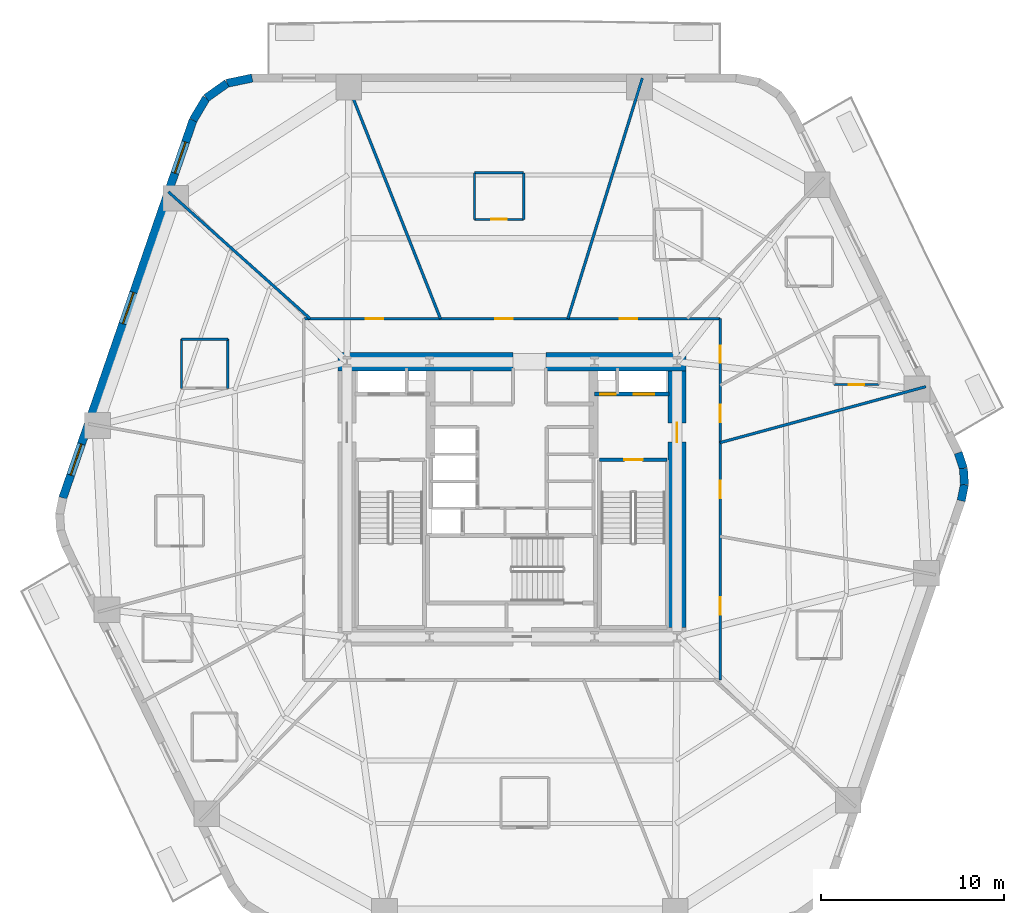
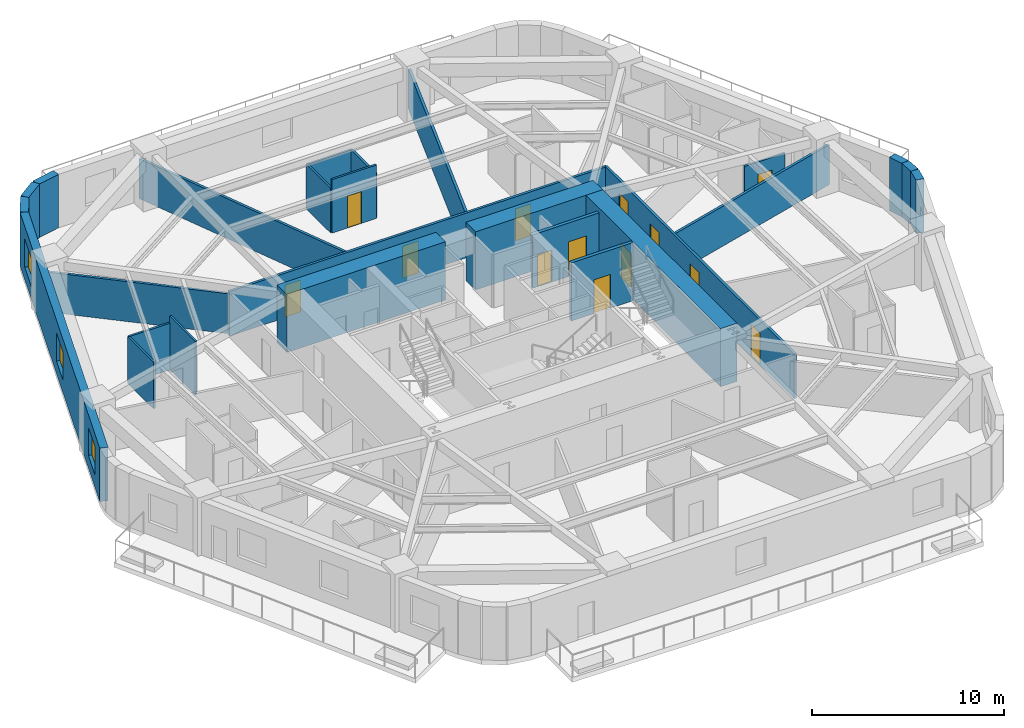
# One storey, part 5 of 9: 26 walls, 13 doors, 3 windows, 16 openings.
"""IFC4 building model written with IfcOpenShell, lengths in metres."""

from ifc_helpers import new_model, si_unit, direction, frame, frame_2d, origin, place, context, subcontext, project, spatial, rectangle, extrude, material, layer, layer_set, type_object, element, fill, save


model = new_model("IFC4")

# Units and contexts
model_context = context("Model", 3, precision=1e-05, world=origin(), true_north=direction((0.0, 1.0)))
body_context = subcontext(model_context, "Body", "Model", "MODEL_VIEW")
ifc_project = project(units=[si_unit("LENGTHUNIT", "METRE"), si_unit("AREAUNIT", "SQUARE_METRE"), si_unit("VOLUMEUNIT", "CUBIC_METRE"), si_unit("PLANEANGLEUNIT", "RADIAN"), si_unit("MASSUNIT", "GRAM", prefix="KILO")], contexts=[model_context])

# Site, building, storey
site_placement = place(None, origin())
site = spatial("IfcSite", under=ifc_project, at=site_placement, CompositionType="ELEMENT")
building_placement = place(site_placement, origin())
building = spatial("IfcBuilding", under=site, at=building_placement, Name="Kilnhurst Terrace Hotel", CompositionType="ELEMENT")
storey_placement = place(building_placement, frame((0.0, 0.0, 60.10009765625)))
storey = spatial("IfcBuildingStorey", under=building, at=storey_placement, Name="L13", CompositionType="ELEMENT", Elevation=60.10009765625)

# Walls
ifc_material_1 = material(Name="Precast concrete C40/50", Category="concrete")
ifc_layer_1 = layer(ifc_material_1, 0.449951171875, Name="Precast concrete C40/50")
ifc_layer_set_1 = layer_set([ifc_layer_1], Name="Precast concrete C40/50")
wall_type_1 = type_object("IfcWallType", Name="WL-BRK-450", PredefinedType="SOLIDWALL", material=ifc_layer_set_1)
wall_1_placement = place(storey_placement, frame((24.49560546875, -0.07666015625, 0.0), z_axis=(0.0, 0.0, 1.0), x_axis=(0.199570594521, 0.979883451132, 0.0)))
element("IfcWall", 1, at=wall_1_placement, inside=storey, type_object=wall_type_1, Name="L13 Rounded Corner Brick Wall C3.1", PredefinedType="SOLIDWALL", context=body_context, shape_type="SweptSolid", body=[
    extrude(rectangle(XDim=0.896728515625, YDim=0.449951171875, at=frame_2d((0.4482421875, 0.0))), origin(), (0.0, 0.0, 1.0), 3.39990234375),
])
wall_2_placement = place(storey_placement, frame((24.674560546875, 0.802001953125, 0.0), z_axis=(0.0, 0.0, 1.0), x_axis=(-0.061188874166, 0.998126205286, 0.0)))
element("IfcWall", 2, at=wall_2_placement, inside=storey, type_object=wall_type_1, Name="L13 Rounded Corner Brick Wall C3.2", PredefinedType="SOLIDWALL", context=body_context, shape_type="SweptSolid", body=[
    extrude(rectangle(XDim=0.8818359375, YDim=0.449951171875, at=frame_2d((0.44091796875, 0.0))), origin(), (0.0, 0.0, 1.0), 3.39990234375),
])
wall_3_placement = place(storey_placement, frame((24.62060546875, 1.68212890625, 0.0), z_axis=(0.0, 0.0, 1.0), x_axis=(-0.317697451681, 0.948192137278, 0.0)))
element("IfcWall", 3, at=wall_3_placement, inside=storey, type_object=wall_type_1, Name="L13 Rounded Corner Brick Wall C3.3", PredefinedType="SOLIDWALL", context=body_context, shape_type="SweptSolid", body=[
    extrude(rectangle(XDim=0.896728515625, YDim=0.449951171875, at=frame_2d((0.4482421875, 0.0))), origin(), (0.0, 0.0, 1.0), 3.39990234375),
])
wall_4_placement = place(storey_placement, frame((-14.168212890625, 22.97509765625, 0.0), z_axis=(0.0, 0.0, 1.0), x_axis=(-0.978770371074, -0.204959900243, 0.0)))
element("IfcWall", 4, at=wall_4_placement, inside=storey, type_object=wall_type_1, Name="L13 Rounded Corner Brick Wall C5.1", PredefinedType="SOLIDWALL", context=body_context, shape_type="SweptSolid", body=[
    extrude(rectangle(XDim=1.405517578125, YDim=0.449951171875, at=frame_2d((0.70263671875, 0.0))), origin(), (0.0, 0.0, 1.0), 3.39990234375),
])
wall_5_placement = place(storey_placement, frame((-15.5439453125, 22.68701171875, 0.0), z_axis=(0.0, 0.0, 1.0), x_axis=(-0.814210854316, -0.580569276412, 0.0)))
element("IfcWall", 5, at=wall_5_placement, inside=storey, type_object=wall_type_1, Name="L13 Rounded Corner Brick Wall C5.2", PredefinedType="SOLIDWALL", context=body_context, shape_type="SweptSolid", body=[
    extrude(rectangle(XDim=1.38134765625, YDim=0.449951171875, at=frame_2d((0.690673828125, 0.0))), origin(), (0.0, 0.0, 1.0), 3.39990234375),
])
wall_6_placement = place(storey_placement, frame((-16.668701171875, 21.885009765625, 0.0), z_axis=(0.0, 0.0, 1.0), x_axis=(-0.512936712947, -0.858426425799, 0.0)))
element("IfcWall", 6, at=wall_6_placement, inside=storey, type_object=wall_type_1, Name="L13 Rounded Corner Brick Wall C5.3", PredefinedType="SOLIDWALL", context=body_context, shape_type="SweptSolid", body=[
    extrude(rectangle(XDim=1.405517578125, YDim=0.449951171875, at=frame_2d((0.70263671875, 0.0))), origin(), (0.0, 0.0, 1.0), 3.39990234375),
])

# Wall, openings, windows
wall_7_placement = place(storey_placement, frame((-17.3896484375, 20.678466796875, 0.0), z_axis=(0.0, 0.0, 1.0), x_axis=(-0.326068018294, -0.945346310854, 0.0)))
wall_7 = element("IfcWall", 7, at=wall_7_placement, inside=storey, type_object=wall_type_1, Name="L13 Exterior Brick Facade Wall F5", PredefinedType="SOLIDWALL", context=body_context, shape_type="SweptSolid", body=[
    extrude(rectangle(XDim=21.79296875, YDim=0.449951171875, at=frame_2d((10.896484375, 0.0))), origin(), (0.0, 0.0, 1.0), 3.39990234375),
])
opening_1_placement = place(wall_7_placement, frame((1.260009765625, 0.0, 0.800048828125)))
opening_1 = element("IfcOpeningElement", 8, at=opening_1_placement, cuts=wall_7, Name="Opening W-01", PredefinedType="OPENING", context=body_context, shape_type="SweptSolid", body=[
    extrude(rectangle(XDim=1.800048828125, YDim=1.800048828125, at=frame_2d((0.89990234375, 0.89990234375))), frame((0.0, 0.23486328125, 0.0), z_axis=(0.0, -1.0, 0.0), x_axis=(1.0, 0.0, 0.0)), (0.0, 0.0, 1.0), 0.469970703125),
])
opening_2_placement = place(wall_7_placement, frame((9.943115234375, 0.0, 0.800048828125)))
opening_2 = element("IfcOpeningElement", 9, at=opening_2_placement, cuts=wall_7, Name="Opening W-01", PredefinedType="OPENING", context=body_context, shape_type="SweptSolid", body=[
    extrude(rectangle(XDim=1.800048828125, YDim=1.800048828125, at=frame_2d((0.89990234375, 0.89990234375))), frame((0.0, 0.23486328125, 0.0), z_axis=(0.0, -1.0, 0.0), x_axis=(1.0, 0.0, 0.0)), (0.0, 0.0, 1.0), 0.469970703125),
])
opening_3_placement = place(wall_7_placement, frame((18.679931640625, 0.0, 0.800048828125)))
opening_3 = element("IfcOpeningElement", 10, at=opening_3_placement, cuts=wall_7, Name="Opening W-01", PredefinedType="OPENING", context=body_context, shape_type="SweptSolid", body=[
    extrude(rectangle(XDim=1.800048828125, YDim=1.800048828125, at=frame_2d((0.89990234375, 0.89990234375))), frame((0.0, 0.23486328125, 0.0), z_axis=(0.0, -1.0, 0.0), x_axis=(1.0, 0.0, 0.0)), (0.0, 0.0, 1.0), 0.469970703125),
])
ifc_material_2 = material(Name="Thermally Broken Bronze Aluminium Alloy 6063-T6 and Low-E Glass", Category="aluminium")
window_type = type_object("IfcWindowType", Name="WIN-1800X1800", PartitioningType="SINGLE_PANEL", PredefinedType="WINDOW", material=ifc_material_2)
window_1_placement = place(opening_1_placement, origin())
window_1 = element("IfcWindow", 11, at=window_1_placement, inside=storey, type_object=window_type, Name="L13 Deep-Set Masonry Window F5.1", OverallHeight=1.800048828125, OverallWidth=1.800048828125, PartitioningType="SINGLE_PANEL", PredefinedType="WINDOW", context=body_context, shape_type="SweptSolid", body=[
    extrude(rectangle(XDim=1.800048828125, YDim=1.800048828125, at=frame_2d((0.89990234375, 0.89990234375))), frame((0.0, 0.030029296875, 0.0), z_axis=(0.0, -1.0, 0.0), x_axis=(1.0, 0.0, 0.0)), (0.0, 0.0, 1.0), 0.06005859375),
])
fill(opening_1, window_1)
window_2_placement = place(opening_2_placement, origin())
window_2 = element("IfcWindow", 12, at=window_2_placement, inside=storey, type_object=window_type, Name="L13 Deep-Set Masonry Window F5.2", OverallHeight=1.800048828125, OverallWidth=1.800048828125, PartitioningType="SINGLE_PANEL", PredefinedType="WINDOW", context=body_context, shape_type="SweptSolid", body=[
    extrude(rectangle(XDim=1.800048828125, YDim=1.800048828125, at=frame_2d((0.89990234375, 0.89990234375))), frame((0.0, 0.030029296875, 0.0), z_axis=(0.0, -1.0, 0.0), x_axis=(1.0, 0.0, 0.0)), (0.0, 0.0, 1.0), 0.06005859375),
])
fill(opening_2, window_2)
window_3_placement = place(opening_3_placement, origin())
window_3 = element("IfcWindow", 13, at=window_3_placement, inside=storey, type_object=window_type, Name="L13 Deep-Set Masonry Window F5.3", OverallHeight=1.800048828125, OverallWidth=1.800048828125, PartitioningType="SINGLE_PANEL", PredefinedType="WINDOW", context=body_context, shape_type="SweptSolid", body=[
    extrude(rectangle(XDim=1.800048828125, YDim=1.800048828125, at=frame_2d((0.89990234375, 0.89990234375))), frame((0.0, 0.030029296875, 0.0), z_axis=(0.0, -1.0, 0.0), x_axis=(1.0, 0.0, 0.0)), (0.0, 0.0, 1.0), 0.06005859375),
])
fill(opening_3, window_3)

# Wall, openings, doors
ifc_material_3 = material(Name="Acoustic Double-Gypsum Corridor Partition Assembly")
ifc_layer_2 = layer(ifc_material_3, 0.14990234375, Name="Acoustic Double-Gypsum Corridor Partition Assembly")
ifc_layer_set_2 = layer_set([ifc_layer_2], Name="Acoustic Double-Gypsum Corridor Partition Assembly")
wall_type_2 = type_object("IfcWallType", Name="WL-COR-150", PredefinedType="PARTITIONING", material=ifc_layer_set_2)
wall_8_placement = place(storey_placement, frame((-11.35009765625, 9.85009765625, 0.0), z_axis=(0.0, 0.0, 1.0), x_axis=(1.0, 0.0, 0.0)))
wall_8 = element("IfcWall", 14, at=wall_8_placement, inside=storey, type_object=wall_type_2, Name="L13 Interior Wall WL-L13-COR-02", PredefinedType="PARTITIONING", context=body_context, shape_type="SweptSolid", body=[
    extrude(rectangle(XDim=22.7001953125, YDim=0.14990234375, at=frame_2d((11.35009765625, 0.0))), origin(), (0.0, 0.0, 1.0), 2.83984375),
])
opening_4_placement = place(wall_8_placement, frame((17.22509765625, 0.0, 0.0)))
opening_4 = element("IfcOpeningElement", 15, at=opening_4_placement, cuts=wall_8, Name="Opening D-60B", PredefinedType="OPENING", context=body_context, shape_type="SweptSolid", body=[
    extrude(rectangle(XDim=0.949951171875, YDim=2.030029296875, at=frame_2d((0.47509765625, 1.01513671875))), frame((0.0, 0.0849609375, 0.0), z_axis=(0.0, -1.0, 0.0), x_axis=(1.0, 0.0, 0.0)), (0.0, 0.0, 1.0), 0.169921875),
])
opening_5_placement = place(wall_8_placement, frame((10.444091796875, 0.0, 0.0)))
opening_5 = element("IfcOpeningElement", 16, at=opening_5_placement, cuts=wall_8, Name="Opening D-60B", PredefinedType="OPENING", context=body_context, shape_type="SweptSolid", body=[
    extrude(rectangle(XDim=0.949951171875, YDim=2.030029296875, at=frame_2d((0.47509765625, 1.01513671875))), frame((0.0, 0.0849609375, 0.0), z_axis=(0.0, -1.0, 0.0), x_axis=(1.0, 0.0, 0.0)), (0.0, 0.0, 1.0), 0.169921875),
])
opening_6_placement = place(wall_8_placement, frame((3.368896484375, 0.0, 0.0)))
opening_6 = element("IfcOpeningElement", 17, at=opening_6_placement, cuts=wall_8, Name="Opening D-60B", PredefinedType="OPENING", context=body_context, shape_type="SweptSolid", body=[
    extrude(rectangle(XDim=0.949951171875, YDim=2.030029296875, at=frame_2d((0.47509765625, 1.01513671875))), frame((0.0, 0.0849609375, 0.0), z_axis=(0.0, -1.0, 0.0), x_axis=(1.0, 0.0, 0.0)), (0.0, 0.0, 1.0), 0.169921875),
])
ifc_material_4 = material(Name="Acoustic Walnut Veneer Solid-Core Fire Door")
door_type_1 = type_object("IfcDoorType", Name="DR-FD60-950", OperationType="NOTDEFINED", PredefinedType="DOOR", material=ifc_material_4)
door_1_placement = place(opening_4_placement, origin())
door_1 = element("IfcDoor", 18, at=door_1_placement, inside=storey, type_object=door_type_1, Name="L13 Executive Suite Entry Door 3", OperationType="SINGLE_SWING_LEFT", OverallHeight=2.030029296875, OverallWidth=0.949951171875, PredefinedType="DOOR", context=body_context, shape_type="SweptSolid", body=[
    extrude(rectangle(XDim=0.949951171875, YDim=2.030029296875, at=frame_2d((0.47509765625, 1.01513671875))), frame((0.0, 0.02490234375, 0.0), z_axis=(0.0, -1.0, 0.0), x_axis=(1.0, 0.0, 0.0)), (0.0, 0.0, 1.0), 0.050048828125),
])
fill(opening_4, door_1)
door_2_placement = place(opening_5_placement, origin())
door_2 = element("IfcDoor", 19, at=door_2_placement, inside=storey, type_object=door_type_1, Name="L13 Executive Suite Entry Door 4", OperationType="SINGLE_SWING_RIGHT", OverallHeight=2.030029296875, OverallWidth=0.949951171875, PredefinedType="DOOR", context=body_context, shape_type="SweptSolid", body=[
    extrude(rectangle(XDim=0.949951171875, YDim=2.030029296875, at=frame_2d((0.47509765625, 1.01513671875))), frame((0.0, 0.02490234375, 0.0), z_axis=(0.0, -1.0, 0.0), x_axis=(1.0, 0.0, 0.0)), (0.0, 0.0, 1.0), 0.050048828125),
])
fill(opening_5, door_2)
door_3_placement = place(opening_6_placement, origin())
door_3 = element("IfcDoor", 20, at=door_3_placement, inside=storey, type_object=door_type_1, Name="L13 Fitness Studio Door", OperationType="SINGLE_SWING_LEFT", OverallHeight=2.030029296875, OverallWidth=0.949951171875, PredefinedType="DOOR", context=body_context, shape_type="SweptSolid", body=[
    extrude(rectangle(XDim=0.949951171875, YDim=2.030029296875, at=frame_2d((0.47509765625, 1.01513671875))), frame((0.0, 0.02490234375, 0.0), z_axis=(0.0, -1.0, 0.0), x_axis=(1.0, 0.0, 0.0)), (0.0, 0.0, 1.0), 0.050048828125),
])
fill(opening_6, door_3)

wall_9_placement = place(storey_placement, frame((11.35009765625, 9.85009765625, 0.0), z_axis=(0.0, 0.0, 1.0), x_axis=(0.0, -1.0, 0.0)))
wall_9 = element("IfcWall", 21, at=wall_9_placement, inside=storey, type_object=wall_type_2, Name="L13 Interior Wall WL-L13-COR-03", PredefinedType="PARTITIONING", context=body_context, shape_type="SweptSolid", body=[
    extrude(rectangle(XDim=19.7001953125, YDim=0.14990234375, at=frame_2d((9.85009765625, 0.0))), origin(), (0.0, 0.0, 1.0), 2.83984375),
])
opening_7_placement = place(wall_9_placement, frame((4.7041015625, 0.0, 0.0)))
opening_7 = element("IfcOpeningElement", 22, at=opening_7_placement, cuts=wall_9, Name="Opening D-60B", PredefinedType="OPENING", context=body_context, shape_type="SweptSolid", body=[
    extrude(rectangle(XDim=0.949951171875, YDim=2.030029296875, at=frame_2d((0.47509765625, 1.01513671875))), frame((0.0, 0.0849609375, 0.0), z_axis=(0.0, -1.0, 0.0), x_axis=(1.0, 0.0, 0.0)), (0.0, 0.0, 1.0), 0.169921875),
])
opening_8_placement = place(wall_9_placement, frame((1.4619140625, 0.0, 0.0)))
opening_8 = element("IfcOpeningElement", 23, at=opening_8_placement, cuts=wall_9, Name="Opening D-60B", PredefinedType="OPENING", context=body_context, shape_type="SweptSolid", body=[
    extrude(rectangle(XDim=0.949951171875, YDim=2.030029296875, at=frame_2d((0.47509765625, 1.01513671875))), frame((0.0, 0.0849609375, 0.0), z_axis=(0.0, -1.0, 0.0), x_axis=(1.0, 0.0, 0.0)), (0.0, 0.0, 1.0), 0.169921875),
])
opening_9_placement = place(wall_9_placement, frame((15.19091796875, 0.0, 0.0)))
opening_9 = element("IfcOpeningElement", 24, at=opening_9_placement, cuts=wall_9, Name="Opening D-60B", PredefinedType="OPENING", context=body_context, shape_type="SweptSolid", body=[
    extrude(rectangle(XDim=0.949951171875, YDim=2.030029296875, at=frame_2d((0.47509765625, 1.01513671875))), frame((0.0, 0.0849609375, 0.0), z_axis=(0.0, -1.0, 0.0), x_axis=(1.0, 0.0, 0.0)), (0.0, 0.0, 1.0), 0.169921875),
])
opening_10_placement = place(wall_9_placement, frame((8.837890625, 0.0, 0.0)))
opening_10 = element("IfcOpeningElement", 25, at=opening_10_placement, cuts=wall_9, Name="Opening D-60B", PredefinedType="OPENING", context=body_context, shape_type="SweptSolid", body=[
    extrude(rectangle(XDim=0.949951171875, YDim=2.030029296875, at=frame_2d((0.47509765625, 1.01513671875))), frame((0.0, 0.0849609375, 0.0), z_axis=(0.0, -1.0, 0.0), x_axis=(1.0, 0.0, 0.0)), (0.0, 0.0, 1.0), 0.169921875),
])
door_4_placement = place(opening_7_placement, origin())
door_4 = element("IfcDoor", 26, at=door_4_placement, inside=storey, type_object=door_type_1, Name="L13 Guest Room Entry Door 1", OperationType="SINGLE_SWING_LEFT", OverallHeight=2.030029296875, OverallWidth=0.949951171875, PredefinedType="DOOR", context=body_context, shape_type="SweptSolid", body=[
    extrude(rectangle(XDim=0.949951171875, YDim=2.030029296875, at=frame_2d((0.47509765625, 1.01513671875))), frame((0.0, 0.02490234375, 0.0), z_axis=(0.0, -1.0, 0.0), x_axis=(1.0, 0.0, 0.0)), (0.0, 0.0, 1.0), 0.050048828125),
])
fill(opening_7, door_4)
door_5_placement = place(opening_8_placement, origin())
door_5 = element("IfcDoor", 27, at=door_5_placement, inside=storey, type_object=door_type_1, Name="L13 Guest Room Entry Door 2", OperationType="SINGLE_SWING_RIGHT", OverallHeight=2.030029296875, OverallWidth=0.949951171875, PredefinedType="DOOR", context=body_context, shape_type="SweptSolid", body=[
    extrude(rectangle(XDim=0.949951171875, YDim=2.030029296875, at=frame_2d((0.47509765625, 1.01513671875))), frame((0.0, 0.02490234375, 0.0), z_axis=(0.0, -1.0, 0.0), x_axis=(1.0, 0.0, 0.0)), (0.0, 0.0, 1.0), 0.050048828125),
])
fill(opening_8, door_5)
door_6_placement = place(opening_9_placement, origin())
door_6 = element("IfcDoor", 28, at=door_6_placement, inside=storey, type_object=door_type_1, Name="L13 Executive Suite Entry Door 13", OperationType="SINGLE_SWING_LEFT", OverallHeight=2.030029296875, OverallWidth=0.949951171875, PredefinedType="DOOR", context=body_context, shape_type="SweptSolid", body=[
    extrude(rectangle(XDim=0.949951171875, YDim=2.030029296875, at=frame_2d((0.47509765625, 1.01513671875))), frame((0.0, 0.02490234375, 0.0), z_axis=(0.0, -1.0, 0.0), x_axis=(1.0, 0.0, 0.0)), (0.0, 0.0, 1.0), 0.050048828125),
])
fill(opening_9, door_6)
door_7_placement = place(opening_10_placement, origin())
door_7 = element("IfcDoor", 29, at=door_7_placement, inside=storey, type_object=door_type_1, Name="L13 Club Tea Lounge Door", OperationType="SINGLE_SWING_RIGHT", OverallHeight=2.030029296875, OverallWidth=0.949951171875, PredefinedType="DOOR", context=body_context, shape_type="SweptSolid", body=[
    extrude(rectangle(XDim=0.949951171875, YDim=2.030029296875, at=frame_2d((0.47509765625, 1.01513671875))), frame((0.0, 0.02490234375, 0.0), z_axis=(0.0, -1.0, 0.0), x_axis=(1.0, 0.0, 0.0)), (0.0, 0.0, 1.0), 0.050048828125),
])
fill(opening_10, door_7)

# Walls
ifc_material_5 = material(Name="Concrete C80/95", Category="concrete")
ifc_layer_3 = layer(ifc_material_5, 1.0, Name="Concrete C80/95")
ifc_layer_set_3 = layer_set([ifc_layer_3], Name="Concrete C80/95")
wall_type_3 = type_object("IfcWallType", Name="WL-CORE-1000", PredefinedType="SHEAR", material=ifc_layer_set_3)
wall_10_placement = place(storey_placement, frame((-9.5, 7.5, 0.0), z_axis=(0.0, 0.0, 1.0), x_axis=(1.0, 0.0, 0.0)))
element("IfcWall", 30, at=wall_10_placement, inside=storey, type_object=wall_type_3, Name="L13 Core North West Shear Wall", PredefinedType="SHEAR", context=body_context, shape_type="SweptSolid", body=[
    extrude(rectangle(XDim=9.550048828125, YDim=1.0, at=frame_2d((4.77490234375, 0.0))), origin(), (0.0, 0.0, 1.0), 3.699951171875),
])
wall_11_placement = place(storey_placement, frame((1.85009765625, 7.5, 0.0), z_axis=(0.0, 0.0, 1.0), x_axis=(1.0, 0.0, 0.0)))
element("IfcWall", 31, at=wall_11_placement, inside=storey, type_object=wall_type_3, Name="L13 Core North East Shear Wall", PredefinedType="SHEAR", context=body_context, shape_type="SweptSolid", body=[
    extrude(rectangle(XDim=7.64990234375, YDim=1.0, at=frame_2d((3.824951171875, 0.0))), origin(), (0.0, 0.0, 1.0), 3.699951171875),
])

# Wall, opening, door
wall_12_placement = place(storey_placement, frame((9.0, -7.0, 0.0), z_axis=(0.0, 0.0, 1.0), x_axis=(0.0, 1.0, 0.0)))
wall_12 = element("IfcWall", 32, at=wall_12_placement, inside=storey, type_object=wall_type_3, Name="L13 Core East Shear Wall", PredefinedType="SHEAR", context=body_context, shape_type="SweptSolid", body=[
    extrude(rectangle(XDim=14.0, YDim=1.0, at=frame_2d((7.0, 0.0))), origin(), (0.0, 0.0, 1.0), 3.699951171875),
])
opening_11_placement = place(wall_12_placement, frame((10.125, 0.0, 0.0)))
opening_11 = element("IfcOpeningElement", 33, at=opening_11_placement, cuts=wall_12, Name="Opening D-90A", PredefinedType="OPENING", context=body_context, shape_type="SweptSolid", body=[
    extrude(rectangle(XDim=1.050048828125, YDim=2.14990234375, at=frame_2d((0.52490234375, 1.074951171875))), frame((0.0, 0.510009765625, 0.0), z_axis=(0.0, -1.0, 0.0), x_axis=(1.0, 0.0, 0.0)), (0.0, 0.0, 1.0), 1.02001953125),
])
ifc_material_6 = material(Name="Painted Hollow Metal Steel ASTM A36 Fire Door", Category="steel")
door_type_2 = type_object("IfcDoorType", Name="DR-FD90-1050", OperationType="NOTDEFINED", PredefinedType="DOOR", material=ifc_material_6)
door_8_placement = place(opening_11_placement, origin())
door_8 = element("IfcDoor", 34, at=door_8_placement, inside=storey, type_object=door_type_2, Name="L13 East Firefighting Lobby Door", OperationType="SINGLE_SWING_LEFT", OverallHeight=2.14990234375, OverallWidth=1.050048828125, PredefinedType="DOOR", context=body_context, shape_type="SweptSolid", body=[
    extrude(rectangle(XDim=1.050048828125, YDim=2.14990234375, at=frame_2d((0.52490234375, 1.074951171875))), frame((0.0, 0.02490234375, 0.0), z_axis=(0.0, -1.0, 0.0), x_axis=(1.0, 0.0, 0.0)), (0.0, 0.0, 1.0), 0.050048828125),
])
fill(opening_11, door_8)

# Walls
ifc_material_7 = material(Name="STC-58 Acoustic Twin-Frame Guestroom Demising Partition")
ifc_layer_4 = layer(ifc_material_7, 0.14990234375, Name="STC-58 Acoustic Twin-Frame Guestroom Demising Partition")
ifc_layer_set_4 = layer_set([ifc_layer_4], Name="STC-58 Acoustic Twin-Frame Guestroom Demising Partition")
wall_type_4 = type_object("IfcWallType", Name="WL-DEM-150", PredefinedType="PARTITIONING", material=ifc_layer_set_4)
wall_13_placement = place(storey_placement, frame((11.35009765625, 3.0908203125, 0.0), z_axis=(0.0, 0.0, 1.0), x_axis=(0.964859685283, 0.262765651704, 0.0)))
element("IfcWall", 35, at=wall_13_placement, inside=storey, type_object=wall_type_4, Name="L13 Interior Wall WL-L13-DEM-COL01-01-1", PredefinedType="PARTITIONING", context=body_context, shape_type="SweptSolid", body=[
    extrude(rectangle(XDim=11.62890625, YDim=0.14990234375, at=frame_2d((5.814453125, 0.0))), origin(), (0.0, 0.0, 1.0), 2.539794921875),
])
wall_14_placement = place(storey_placement, frame((3.047607421875, 9.85009765625, 0.0), z_axis=(0.0, 0.0, 1.0), x_axis=(0.295553992761, 0.955326037206, 0.0)))
element("IfcWall", 36, at=wall_14_placement, inside=storey, type_object=wall_type_4, Name="L13 Interior Wall WL-L13-DEM-COL03-04-1", PredefinedType="PARTITIONING", context=body_context, shape_type="SweptSolid", body=[
    extrude(rectangle(XDim=13.73876953125, YDim=0.14990234375, at=frame_2d((6.869384765625, 0.0))), origin(), (0.0, 0.0, 1.0), 2.539794921875),
])
wall_15_placement = place(storey_placement, frame((-3.90185546875, 9.85009765625, 0.0), z_axis=(0.0, 0.0, 1.0), x_axis=(-0.36828765711, 0.929711891728, 0.0)))
element("IfcWall", 37, at=wall_15_placement, inside=storey, type_object=wall_type_4, Name="L13 Interior Wall WL-L13-DEM-COL04-05-1", PredefinedType="PARTITIONING", context=body_context, shape_type="SweptSolid", body=[
    extrude(rectangle(XDim=14.1171875, YDim=0.14990234375, at=frame_2d((7.05859375, 0.0))), origin(), (0.0, 0.0, 1.0), 2.539794921875),
])
wall_16_placement = place(storey_placement, frame((-11.006591796875, 9.85009765625, 0.0), z_axis=(0.0, 0.0, 1.0), x_axis=(-0.745177305978, 0.666866390407, 0.0)))
element("IfcWall", 38, at=wall_16_placement, inside=storey, type_object=wall_type_4, Name="L13 Interior Wall WL-L13-DEM-COL05-06-1", PredefinedType="PARTITIONING", context=body_context, shape_type="SweptSolid", body=[
    extrude(rectangle(XDim=10.375244140625, YDim=0.14990234375, at=frame_2d((5.1875, 0.0))), origin(), (0.0, 0.0, 1.0), 2.539794921875),
])

# Wall, opening, door
ifc_material_8 = material(Name="120 mm Moisture-Resistant Tile-Backed Bathroom Partition")
ifc_layer_5 = layer(ifc_material_8, 0.1201171875, Name="120 mm Moisture-Resistant Tile-Backed Bathroom Partition")
ifc_layer_set_5 = layer_set([ifc_layer_5], Name="120 mm Moisture-Resistant Tile-Backed Bathroom Partition")
wall_type_5 = type_object("IfcWallType", Name="WL-PART-120", PredefinedType="PARTITIONING", material=ifc_layer_set_5)
wall_17_placement = place(storey_placement, frame((17.56689453125, 6.258056640625, 0.0), z_axis=(0.0, 0.0, 1.0), x_axis=(1.0, 0.0, 0.0)))
wall_17 = element("IfcWall", 39, at=wall_17_placement, inside=storey, type_object=wall_type_5, Name="L13 Interior Wall WL-L13-BTH-01-1", PredefinedType="PARTITIONING", context=body_context, shape_type="SweptSolid", body=[
    extrude(rectangle(XDim=2.440185546875, YDim=0.1201171875, at=frame_2d((1.22021484375, 0.0))), origin(), (0.0, 0.0, 1.0), 2.83984375),
])
opening_12_placement = place(wall_17_placement, frame((0.794921875, 0.0, 0.0)))
opening_12 = element("IfcOpeningElement", 40, at=opening_12_placement, cuts=wall_17, Name="Opening D-08A", PredefinedType="OPENING", context=body_context, shape_type="SweptSolid", body=[
    extrude(rectangle(XDim=0.85009765625, YDim=2.030029296875, at=frame_2d((0.425048828125, 1.01513671875))), frame((0.0, 0.070068359375, 0.0), z_axis=(0.0, -1.0, 0.0), x_axis=(1.0, 0.0, 0.0)), (0.0, 0.0, 1.0), 0.14013671875),
])
ifc_material_9 = material(Name="Moisture-Resistant Lacquered En-suite Bathroom Door")
door_type_3 = type_object("IfcDoorType", Name="DR-INT-850", OperationType="NOTDEFINED", PredefinedType="DOOR", material=ifc_material_9)
door_9_placement = place(opening_12_placement, origin())
door_9 = element("IfcDoor", 41, at=door_9_placement, inside=storey, type_object=door_type_3, Name="L13 En-suite Bathroom Door 1", OperationType="SINGLE_SWING_RIGHT", OverallHeight=2.030029296875, OverallWidth=0.85009765625, PredefinedType="DOOR", context=body_context, shape_type="SweptSolid", body=[
    extrude(rectangle(XDim=0.85009765625, YDim=2.030029296875, at=frame_2d((0.425048828125, 1.01513671875))), frame((0.0, 0.02490234375, 0.0), z_axis=(0.0, -1.0, 0.0), x_axis=(1.0, 0.0, 0.0)), (0.0, 0.0, 1.0), 0.050048828125),
])
fill(opening_12, door_9)

wall_18_placement = place(storey_placement, frame((-2.0419921875, 15.26708984375, 0.0), z_axis=(0.0, 0.0, 1.0), x_axis=(1.0, 0.0, 0.0)))
wall_18 = element("IfcWall", 42, at=wall_18_placement, inside=storey, type_object=wall_type_5, Name="L13 Interior Wall WL-L13-BTH-04-1", PredefinedType="PARTITIONING", context=body_context, shape_type="SweptSolid", body=[
    extrude(rectangle(XDim=2.679931640625, YDim=0.1201171875, at=frame_2d((1.33984375, 0.0))), origin(), (0.0, 0.0, 1.0), 3.39990234375),
])
opening_13_placement = place(wall_18_placement, frame((0.9150390625, 0.0, 0.0)))
opening_13 = element("IfcOpeningElement", 43, at=opening_13_placement, cuts=wall_18, Name="Opening D-08A", PredefinedType="OPENING", context=body_context, shape_type="SweptSolid", body=[
    extrude(rectangle(XDim=0.85009765625, YDim=2.030029296875, at=frame_2d((0.425048828125, 1.01513671875))), frame((0.0, 0.070068359375, 0.0), z_axis=(0.0, -1.0, 0.0), x_axis=(1.0, 0.0, 0.0)), (0.0, 0.0, 1.0), 0.14013671875),
])
door_10_placement = place(opening_13_placement, origin())
door_10 = element("IfcDoor", 44, at=door_10_placement, inside=storey, type_object=door_type_3, Name="L13 En-suite Bathroom Door 4", OperationType="SINGLE_SWING_LEFT", OverallHeight=2.030029296875, OverallWidth=0.85009765625, PredefinedType="DOOR", context=body_context, shape_type="SweptSolid", body=[
    extrude(rectangle(XDim=0.85009765625, YDim=2.030029296875, at=frame_2d((0.425048828125, 1.01513671875))), frame((0.0, 0.02490234375, 0.0), z_axis=(0.0, -1.0, 0.0), x_axis=(1.0, 0.0, 0.0)), (0.0, 0.0, 1.0), 0.050048828125),
])
fill(opening_13, door_10)

# Walls
wall_19_placement = place(storey_placement, frame((0.637939453125, 15.26708984375, 0.0), z_axis=(0.0, 0.0, 1.0), x_axis=(0.0, 1.0, 0.0)))
element("IfcWall", 45, at=wall_19_placement, inside=storey, type_object=wall_type_5, Name="L13 Interior Wall WL-L13-BTH-04-2", PredefinedType="PARTITIONING", context=body_context, shape_type="SweptSolid", body=[
    extrude(rectangle(XDim=2.539794921875, YDim=0.1201171875, at=frame_2d((1.27001953125, 0.0))), origin(), (0.0, 0.0, 1.0), 2.84033203125),
])
wall_20_placement = place(storey_placement, frame((0.637939453125, 17.806884765625, 0.0), z_axis=(0.0, 0.0, 1.0), x_axis=(-1.0, 0.0, 0.0)))
element("IfcWall", 46, at=wall_20_placement, inside=storey, type_object=wall_type_5, Name="L13 Interior Wall WL-L13-BTH-04-3", PredefinedType="PARTITIONING", context=body_context, shape_type="SweptSolid", body=[
    extrude(rectangle(XDim=2.679931640625, YDim=0.1201171875, at=frame_2d((1.33984375, 0.0))), origin(), (0.0, 0.0, 1.0), 2.84033203125),
])
wall_21_placement = place(storey_placement, frame((-2.0419921875, 17.806884765625, 0.0), z_axis=(0.0, 0.0, 1.0), x_axis=(0.0, -1.0, 0.0)))
element("IfcWall", 47, at=wall_21_placement, inside=storey, type_object=wall_type_5, Name="L13 Interior Wall WL-L13-BTH-04-4", PredefinedType="PARTITIONING", context=body_context, shape_type="SweptSolid", body=[
    extrude(rectangle(XDim=2.539794921875, YDim=0.1201171875, at=frame_2d((1.27001953125, 0.0))), origin(), (0.0, 0.0, 1.0), 2.84033203125),
])
wall_22_placement = place(storey_placement, frame((-15.49609375, 6.052978515625, 0.0), z_axis=(0.0, 0.0, 1.0), x_axis=(0.0, 1.0, 0.0)))
element("IfcWall", 48, at=wall_22_placement, inside=storey, type_object=wall_type_5, Name="L13 Interior Wall WL-L13-BTH-06-2", PredefinedType="PARTITIONING", context=body_context, shape_type="SweptSolid", body=[
    extrude(rectangle(XDim=2.679931640625, YDim=0.1201171875, at=frame_2d((1.33984375, 0.0))), origin(), (0.0, 0.0, 1.0), 3.39990234375),
])
wall_23_placement = place(storey_placement, frame((-15.49609375, 8.73291015625, 0.0), z_axis=(0.0, 0.0, 1.0), x_axis=(-1.0, 0.0, 0.0)))
element("IfcWall", 49, at=wall_23_placement, inside=storey, type_object=wall_type_5, Name="L13 Interior Wall WL-L13-BTH-06-3", PredefinedType="PARTITIONING", context=body_context, shape_type="SweptSolid", body=[
    extrude(rectangle(XDim=2.52001953125, YDim=0.1201171875, at=frame_2d((1.260009765625, 0.0))), origin(), (0.0, 0.0, 1.0), 2.972412109375),
])
wall_24_placement = place(storey_placement, frame((-18.01611328125, 8.73291015625, 0.0), z_axis=(0.0, 0.0, 1.0), x_axis=(0.0, -1.0, 0.0)))
element("IfcWall", 50, at=wall_24_placement, inside=storey, type_object=wall_type_5, Name="L13 Interior Wall WL-L13-BTH-06-4", PredefinedType="PARTITIONING", context=body_context, shape_type="SweptSolid", body=[
    extrude(rectangle(XDim=2.679931640625, YDim=0.1201171875, at=frame_2d((1.33984375, 0.0))), origin(), (0.0, 0.0, 1.0), 2.972412109375),
])

# Wall, openings, doors
ifc_material_10 = material(Name="Autoclaved Aerated Concrete C30/37 and Gypsum Shaft Assembly", Category="concrete")
ifc_layer_6 = layer(ifc_material_10, 0.199951171875, Name="Autoclaved Aerated Concrete C30/37 and Gypsum Shaft Assembly")
ifc_layer_set_6 = layer_set([ifc_layer_6], Name="Autoclaved Aerated Concrete C30/37 and Gypsum Shaft Assembly")
wall_type_6 = type_object("IfcWallType", Name="WL-SHAFT-200", PredefinedType="PARTITIONING", material=ifc_layer_set_6)
wall_25_placement = place(storey_placement, frame((4.5, 5.739990234375, 0.0), z_axis=(0.0, 0.0, 1.0), x_axis=(1.0, 0.0, 0.0)))
wall_25 = element("IfcWall", 51, at=wall_25_placement, inside=storey, type_object=wall_type_6, Name="L13 Interior Wall WL-L13-FSAE2-S", PredefinedType="PARTITIONING", context=body_context, shape_type="SweptSolid", body=[
    extrude(rectangle(XDim=4.050048828125, YDim=0.199951171875, at=frame_2d((2.02490234375, 0.0))), origin(), (0.0, 0.0, 1.0), 3.39990234375),
])
opening_14_placement = place(wall_25_placement, frame((0.300048828125, 0.0, 0.0)))
opening_14 = element("IfcOpeningElement", 52, at=opening_14_placement, cuts=wall_25, Name="Opening D-60D", PredefinedType="OPENING", context=body_context, shape_type="SweptSolid", body=[
    extrude(rectangle(XDim=0.85009765625, YDim=2.030029296875, at=frame_2d((0.425048828125, 1.01513671875))), frame((0.0, 0.10986328125, 0.0), z_axis=(0.0, -1.0, 0.0), x_axis=(1.0, 0.0, 0.0)), (0.0, 0.0, 1.0), 0.219970703125),
])
opening_15_placement = place(wall_25_placement, frame((2.14990234375, 0.0, 0.0)))
opening_15 = element("IfcOpeningElement", 53, at=opening_15_placement, cuts=wall_25, Name="Opening LD-F2", PredefinedType="OPENING", context=body_context, shape_type="SweptSolid", body=[
    extrude(rectangle(XDim=1.10009765625, YDim=2.199951171875, at=frame_2d((0.550048828125, 1.10009765625))), frame((0.0, 0.10986328125, 0.0), z_axis=(0.0, -1.0, 0.0), x_axis=(1.0, 0.0, 0.0)), (0.0, 0.0, 1.0), 0.219970703125),
])
ifc_material_11 = material(Name="Painted Hollow Metal Steel ASTM A36 Riser Door", Category="steel")
door_type_4 = type_object("IfcDoorType", Name="DR-FD60-850", OperationType="NOTDEFINED", PredefinedType="DOOR", material=ifc_material_11)
door_11_placement = place(opening_14_placement, origin())
door_11 = element("IfcDoor", 54, at=door_11_placement, inside=storey, type_object=door_type_4, Name="L13 Telecom Riser Door", OperationType="SINGLE_SWING_RIGHT", OverallHeight=2.030029296875, OverallWidth=0.85009765625, PredefinedType="DOOR", context=body_context, shape_type="SweptSolid", body=[
    extrude(rectangle(XDim=0.85009765625, YDim=2.030029296875, at=frame_2d((0.425048828125, 1.01513671875))), frame((0.0, 0.02490234375, 0.0), z_axis=(0.0, -1.0, 0.0), x_axis=(1.0, 0.0, 0.0)), (0.0, 0.0, 1.0), 0.050048828125),
])
fill(opening_14, door_11)
ifc_material_12 = material(Name="Bronze-Anodized Stainless Steel AISI 316L Sliding Door", Category="steel")
door_type_5 = type_object("IfcDoorType", Name="DR-LIFT-1100", OperationType="NOTDEFINED", PredefinedType="DOOR", material=ifc_material_12)
door_12_placement = place(opening_15_placement, origin())
door_12 = element("IfcDoor", 55, at=door_12_placement, inside=storey, type_object=door_type_5, Name="L13 FSAE-2 Landing Door", OperationType="SLIDING_TO_RIGHT", OverallHeight=2.199951171875, OverallWidth=1.10009765625, PredefinedType="DOOR", context=body_context, shape_type="SweptSolid", body=[
    extrude(rectangle(XDim=1.10009765625, YDim=2.199951171875, at=frame_2d((0.550048828125, 1.10009765625))), frame((0.0, 0.02490234375, 0.0), z_axis=(0.0, -1.0, 0.0), x_axis=(1.0, 0.0, 0.0)), (0.0, 0.0, 1.0), 0.050048828125),
])
fill(opening_15, door_12)

# Wall, opening, door
ifc_material_13 = material(Name="Concrete C50/60", Category="concrete")
ifc_layer_7 = layer(ifc_material_13, 0.199951171875, Name="Concrete C50/60")
ifc_layer_set_7 = layer_set([ifc_layer_7], Name="Concrete C50/60")
wall_type_7 = type_object("IfcWallType", Name="WL-STAIR-RC-200", PredefinedType="SHEAR", material=ifc_layer_set_7)
wall_26_placement = place(storey_placement, frame((4.77197265625, 2.157958984375, 0.0), z_axis=(0.0, 0.0, 1.0), x_axis=(1.0, 0.0, 0.0)))
wall_26 = element("IfcWall", 56, at=wall_26_placement, inside=storey, type_object=wall_type_7, Name="L13 Structural Stair Shaft Wall WL-L13-ST2-N", PredefinedType="SHEAR", context=body_context, shape_type="SweptSolid", body=[
    extrude(rectangle(XDim=3.68603515625, YDim=0.199951171875, at=frame_2d((1.843017578125, 0.0))), origin(), (0.0, 0.0, 1.0), 3.699951171875),
])
opening_16_placement = place(wall_26_placement, frame((1.35009765625, 0.0, 0.0)))
opening_16 = element("IfcOpeningElement", 57, at=opening_16_placement, cuts=wall_26, Name="Opening D-90B", PredefinedType="OPENING", context=body_context, shape_type="SweptSolid", body=[
    extrude(rectangle(XDim=1.0, YDim=2.14990234375, at=frame_2d((0.5, 1.074951171875))), frame((0.0, 0.10986328125, 0.0), z_axis=(0.0, -1.0, 0.0), x_axis=(1.0, 0.0, 0.0)), (0.0, 0.0, 1.0), 0.219970703125),
])
door_type_6 = type_object("IfcDoorType", Name="DR-FD90-1000", OperationType="NOTDEFINED", PredefinedType="DOOR", material=ifc_material_6)
door_13_placement = place(opening_16_placement, origin())
door_13 = element("IfcDoor", 58, at=door_13_placement, inside=storey, type_object=door_type_6, Name="L13 Stair ST-2 Door", OperationType="SINGLE_SWING_RIGHT", OverallHeight=2.14990234375, OverallWidth=1.0, PredefinedType="DOOR", context=body_context, shape_type="SweptSolid", body=[
    extrude(rectangle(XDim=1.0, YDim=2.14990234375, at=frame_2d((0.5, 1.074951171875))), frame((0.0, 0.02490234375, 0.0), z_axis=(0.0, -1.0, 0.0), x_axis=(1.0, 0.0, 0.0)), (0.0, 0.0, 1.0), 0.050048828125),
])
fill(opening_16, door_13)

save(model, "model.ifc")
